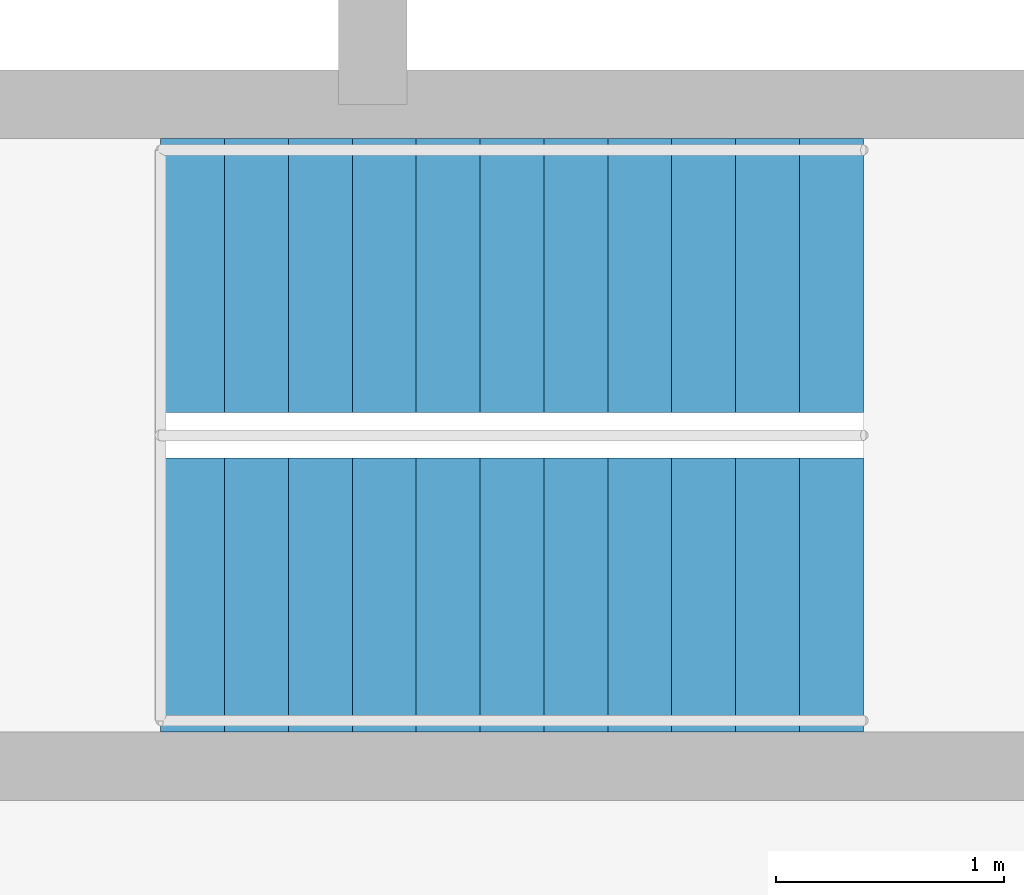
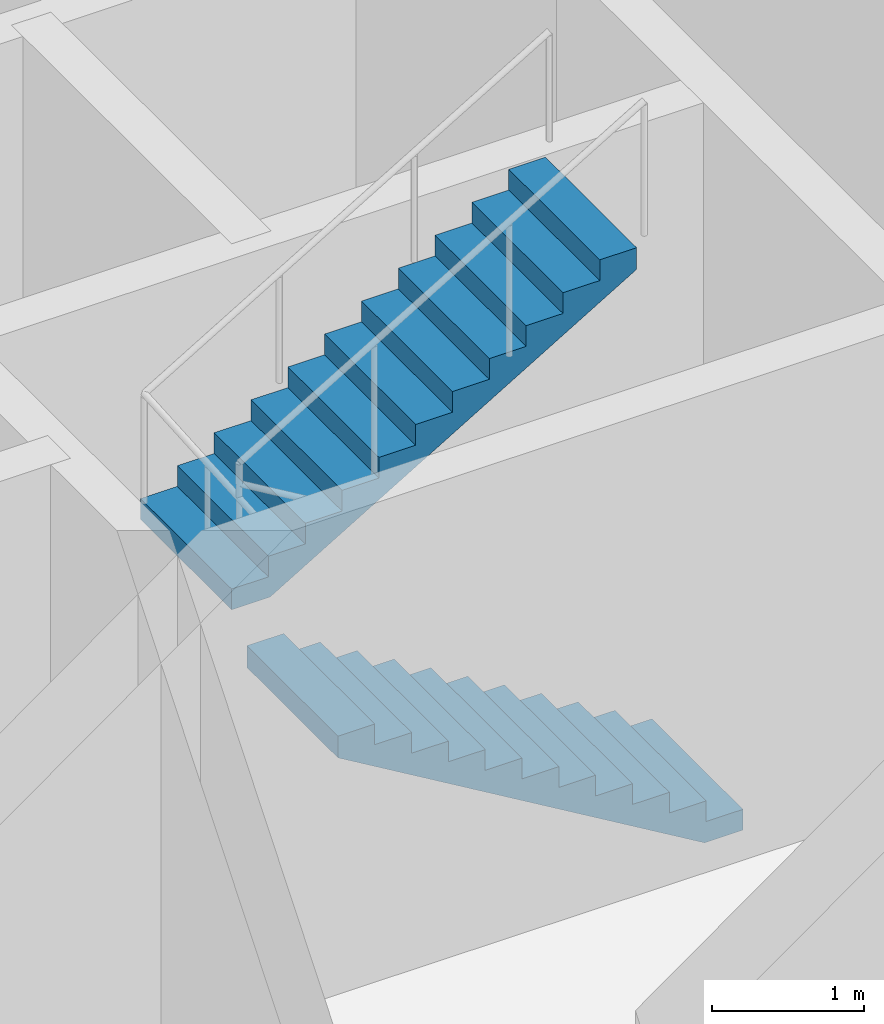
# One storey, part 6 of 13: 2 stair flights, 1 element without a shape of its own.
"""IFC4 building model written with IfcOpenShell, lengths in metres."""

from ifc_helpers import new_model, si_unit, direction, frame, origin, place, context, subcontext, project, spatial, polyline, outline, extrude, material, type_object, element, aggregate, save


model = new_model("IFC4")

# Units and contexts
model_context = context("Model", 3, precision=1e-05, world=origin(), true_north=direction((0.0, 1.0)))
body_context = subcontext(model_context, "Body", "Model", "MODEL_VIEW")
ifc_project = project(units=[si_unit("LENGTHUNIT", "METRE"), si_unit("AREAUNIT", "SQUARE_METRE"), si_unit("VOLUMEUNIT", "CUBIC_METRE"), si_unit("PLANEANGLEUNIT", "RADIAN"), si_unit("MASSUNIT", "GRAM", prefix="KILO")], contexts=[model_context])

# Site, building, storey
site_placement = place(None, origin())
site = spatial("IfcSite", under=ifc_project, at=site_placement, CompositionType="ELEMENT")
building_placement = place(site_placement, origin())
building = spatial("IfcBuilding", under=site, at=building_placement, Name="Entoto Ring Tower", CompositionType="ELEMENT")
storey_placement = place(building_placement, frame((0.0, 0.0, 302.0)))
storey = spatial("IfcBuildingStorey", under=building, at=storey_placement, Name="L69", CompositionType="ELEMENT", Elevation=302.0)

# Stair, stair flights
ifc_material_1 = material(Name="Concrete C40/50", Category="concrete")
stair_type = type_object("IfcStairType", Name="Exit stair 1200 mm dog-leg reinforced concrete", PredefinedType="HALF_TURN_STAIR", material=ifc_material_1)
stair_placement = place(storey_placement, origin())
stair = element("IfcStair", 1, at=stair_placement, inside=storey, type_object=stair_type, Name="Exit stair 1", PredefinedType="HALF_TURN_STAIR")
ifc_material_2 = material(Name="Concrete C40/50", Category="concrete")
stair_flight_type = type_object("IfcStairFlightType", Name="Stair flight 1200 mm reinforced concrete", PredefinedType="STRAIGHT", material=ifc_material_2)
stair_flight_1_placement = place(storey_placement, frame((99.25, 85.550048828125, 0.0), z_axis=(0.0, 0.0, 1.0), x_axis=(-1.0, 0.0, 0.0)))
stair_flight_1 = element("IfcStairFlight", 2, at=stair_flight_1_placement, type_object=stair_flight_type, Name="ST1 flight 1", NumberOfRisers=12, NumberOfTreads=11, PredefinedType="STRAIGHT", RiserHeight=0.166666667, TreadLength=0.28, context=body_context, shape_type="SweptSolid", body=[
    extrude(outline(polyline([(0.0, 0.0), (0.0, 0.166748046875), (0.280029296875, 0.166748046875), (0.280029296875, 0.333251953125), (0.56005859375, 0.333251953125), (0.56005859375, 0.5), (0.840087890625, 0.5), (0.840087890625, 0.666748046875), (1.1201171875, 0.666748046875), (1.1201171875, 0.833251953125), (1.39990234375, 0.833251953125), (1.39990234375, 1.0), (1.679931640625, 1.0), (1.679931640625, 1.166748046875), (1.9599609375, 1.166748046875), (1.9599609375, 1.333251953125), (2.239990234375, 1.333251953125), (2.239990234375, 1.5), (2.52001953125, 1.5), (2.52001953125, 1.666748046875), (2.800048828125, 1.666748046875), (2.800048828125, 1.833251953125), (3.080078125, 1.833251953125), (3.080078125, 2.0), (3.080078125, 1.658935546875), (0.29296875, 0.0), (0.0, 0.0)])), frame((0.0, 0.60009765625, 0.0), z_axis=(0.0, -1.0, 0.0), x_axis=(1.0, 0.0, 0.0)), (0.0, 0.0, 1.0), 1.199951171875),
])
stair_flight_2_placement = place(storey_placement, frame((96.169921875, 86.949951171875, 2.0), z_axis=(0.0, 0.0, 1.0), x_axis=(1.0, 0.0, 0.0)))
stair_flight_2 = element("IfcStairFlight", 3, at=stair_flight_2_placement, type_object=stair_flight_type, Name="ST1 flight 2", NumberOfRisers=12, NumberOfTreads=11, PredefinedType="STRAIGHT", RiserHeight=0.166666667, TreadLength=0.28, context=body_context, shape_type="SweptSolid", body=[
    extrude(outline(polyline([(0.0, 0.0), (0.0, 0.166748046875), (0.280029296875, 0.166748046875), (0.280029296875, 0.333251953125), (0.56005859375, 0.333251953125), (0.56005859375, 0.5), (0.840087890625, 0.5), (0.840087890625, 0.666748046875), (1.1201171875, 0.666748046875), (1.1201171875, 0.833251953125), (1.39990234375, 0.833251953125), (1.39990234375, 1.0), (1.679931640625, 1.0), (1.679931640625, 1.166748046875), (1.9599609375, 1.166748046875), (1.9599609375, 1.333251953125), (2.239990234375, 1.333251953125), (2.239990234375, 1.5), (2.52001953125, 1.5), (2.52001953125, 1.666748046875), (2.800048828125, 1.666748046875), (2.800048828125, 1.833251953125), (3.080078125, 1.833251953125), (3.080078125, 2.0), (3.080078125, 1.658935546875), (0.29296875, 0.0), (0.0, 0.0)])), frame((0.0, 0.60009765625, 0.0), z_axis=(0.0, -1.0, 0.0), x_axis=(1.0, 0.0, 0.0)), (0.0, 0.0, 1.0), 1.199951171875),
])
aggregate(stair, [stair_flight_1, stair_flight_2])

save(model, "model.ifc")
